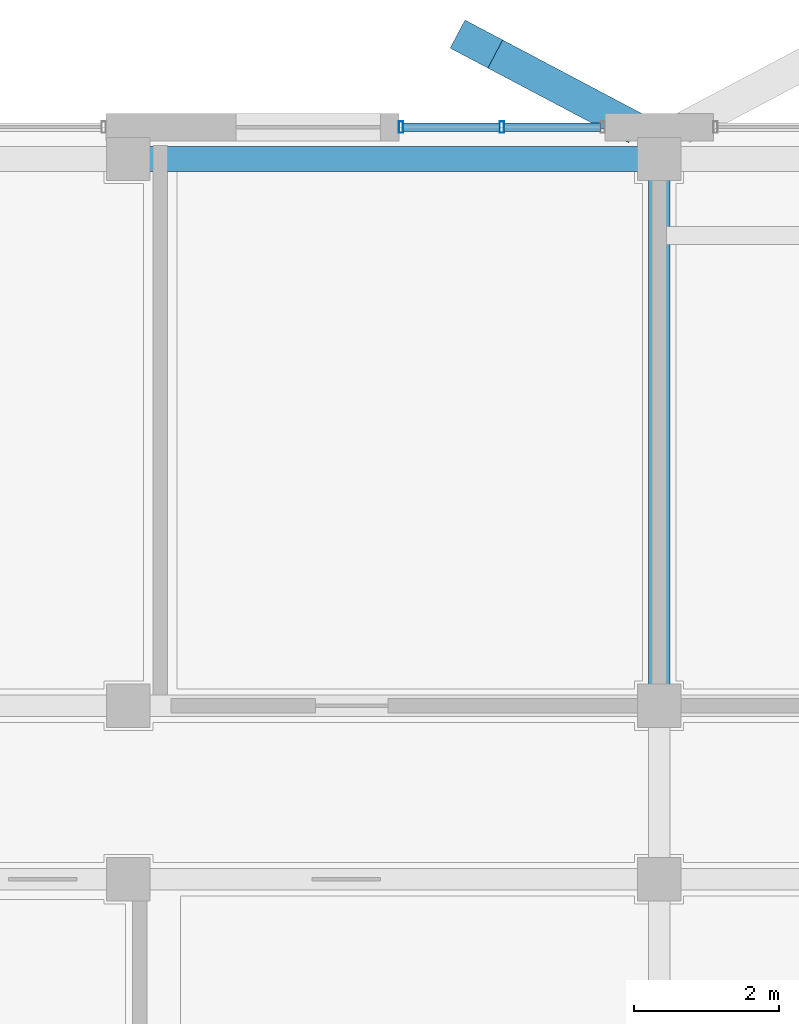
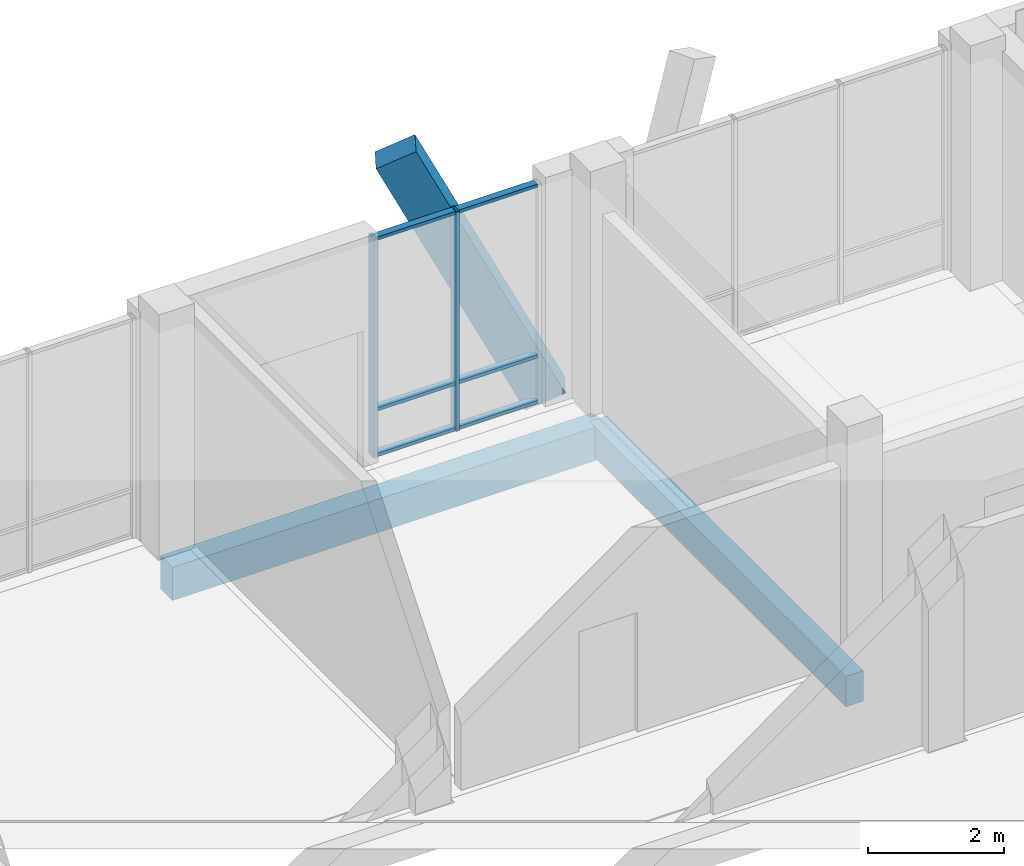
# One storey, part 118 of 233: 9 members, 2 beams, 1 element without a shape of its own.
"""IFC4 building model written with IfcOpenShell, lengths in metres."""

from ifc_helpers import new_model, si_unit, direction, frame, origin, origin_2d, place, context, subcontext, project, spatial, rectangle, hollow_rectangle, extrude, material, material_profile, profile_set, type_object, element, aggregate, save


model = new_model("IFC4")

# Units and contexts
model_context = context("Model", 3, precision=1e-05, world=origin(), true_north=direction((0.0, 1.0)))
body_context = subcontext(model_context, "Body", "Model", "MODEL_VIEW")
ifc_project = project(units=[si_unit("LENGTHUNIT", "METRE"), si_unit("AREAUNIT", "SQUARE_METRE"), si_unit("VOLUMEUNIT", "CUBIC_METRE"), si_unit("PLANEANGLEUNIT", "RADIAN"), si_unit("MASSUNIT", "GRAM", prefix="KILO")], contexts=[model_context])

# Site, building, storey
site_placement = place(None, origin())
site = spatial("IfcSite", under=ifc_project, at=site_placement, CompositionType="ELEMENT")
building_placement = place(site_placement, origin())
building = spatial("IfcBuilding", under=site, at=building_placement, Name="Zavelmont Quarter", CompositionType="ELEMENT")
storey_placement = place(building_placement, origin())
storey = spatial("IfcBuildingStorey", under=building, at=storey_placement, Name="L00", CompositionType="ELEMENT", Elevation=0.0)

# Beams
ifc_material_1 = material(Name="Concrete C35/45", Category="concrete")
ifc_material_profile_1 = material_profile(ifc_material_1, rectangle(XDim=0.35009765625, YDim=0.60009765625, at=origin_2d()), Name="RC350X600")
ifc_profile_set_1 = profile_set([ifc_material_profile_1], Name="Concrete C35/45")
beam_type_1 = type_object("IfcBeamType", Name="BM01", PredefinedType="SPANDREL", material=ifc_profile_set_1)
beam_1_placement = place(storey_placement, frame((40.9599609375, 115.56005859375, -0.6201171875), z_axis=(1.0, 0.0, 0.0), x_axis=(0.0, 1.0, 0.0)))
element("IfcBeam", 1, at=beam_1_placement, inside=storey, type_object=beam_type_1, Name="L00 beam BM01 7/S to 8/S", PredefinedType="SPANDREL", context=body_context, shape_type="SweptSolid", body=[
    extrude(rectangle(XDim=0.35009765625, YDim=0.60009765625, at=origin_2d()), origin(), (0.0, 0.0, 1.0), 7.340087890625),
])
ifc_material_profile_2 = material_profile(ifc_material_1, rectangle(XDim=0.300048828125, YDim=0.550048828125, at=origin_2d()), Name="RC300X550")
ifc_profile_set_2 = profile_set([ifc_material_profile_2], Name="Concrete C35/45")
beam_type_2 = type_object("IfcBeamType", Name="BM02", PredefinedType="SPANDREL", material=ifc_profile_set_2)
beam_2_placement = place(storey_placement, frame((48.300048828125, 108.0, -0.594970703125), z_axis=(0.0, 1.0, 0.0), x_axis=(-1.0, 0.0, 0.0)))
element("IfcBeam", 2, at=beam_2_placement, inside=storey, type_object=beam_type_2, Name="L00 beam BM02 8/R to 8/S", PredefinedType="SPANDREL", context=body_context, shape_type="SweptSolid", body=[
    extrude(rectangle(XDim=0.300048828125, YDim=0.550048828125, at=origin_2d()), origin(), (0.0, 0.0, 1.0), 7.56005859375),
])

# Curtain wall, members
ifc_material_2 = material(Name="Thermally broken aluminium and double low-E safety glazing", Category="aluminium")
curtain_wall_type = type_object("IfcCurtainWallType", Name="CW-285X395", PredefinedType="NOTDEFINED", material=ifc_material_2)
curtain_wall_placement = place(storey_placement, origin())
curtain_wall = element("IfcCurtainWall", 3, at=curtain_wall_placement, inside=storey, type_object=curtain_wall_type, Name="L00 unitised curtain wall CW-285X395", PredefinedType="NOTDEFINED")
ifc_material_3 = material(Name="Powder-coated aluminium EN AW-6063-T6", Category="aluminium")
ifc_material_profile_3 = material_profile(ifc_material_3, hollow_rectangle(XDim=0.06005859375, YDim=0.159912109375, WallThickness=0.00390625, at=origin_2d()), Name="CWM60X160")
ifc_profile_set_3 = profile_set([ifc_material_profile_3], Name="Powder-coated aluminium EN AW-6063-T6")
member_type_1 = type_object("IfcMemberType", Name="CWM01", PredefinedType="MULLION", material=ifc_profile_set_3)
member_1_placement = place(storey_placement, frame((44.72998046875, 116.0, 0.0), z_axis=(0.0, 0.0, 1.0), x_axis=(1.0, 0.0, 0.0)))
member_1 = element("IfcMember", 4, at=member_1_placement, type_object=member_type_1, Name="CW-285X395 mullion 1", PredefinedType="MULLION", context=body_context, shape_type="SweptSolid", body=[
    extrude(hollow_rectangle(XDim=0.06005859375, YDim=0.159912109375, WallThickness=0.00390625, at=origin_2d()), origin(), (0.0, 0.0, 1.0), 3.949951171875),
])
member_2_placement = place(storey_placement, frame((46.125, 116.0, 0.0), z_axis=(0.0, 0.0, 1.0), x_axis=(1.0, 0.0, 0.0)))
member_2 = element("IfcMember", 5, at=member_2_placement, type_object=member_type_1, Name="CW-285X395 mullion 2", PredefinedType="MULLION", context=body_context, shape_type="SweptSolid", body=[
    extrude(hollow_rectangle(XDim=0.06005859375, YDim=0.159912109375, WallThickness=0.00390625, at=origin_2d()), origin(), (0.0, 0.0, 1.0), 3.949951171875),
])
ifc_material_profile_4 = material_profile(ifc_material_3, hollow_rectangle(XDim=0.1201171875, YDim=0.06005859375, WallThickness=0.00390625, at=origin_2d()), Name="CWT60X120")
ifc_profile_set_4 = profile_set([ifc_material_profile_4], Name="Powder-coated aluminium EN AW-6063-T6")
member_type_2 = type_object("IfcMemberType", Name="CWT01", PredefinedType="NOTDEFINED", material=ifc_profile_set_4)
member_3_placement = place(storey_placement, frame((44.760009765625, 116.0, 0.030029296875), z_axis=(1.0, 0.0, 0.0), x_axis=(0.0, 1.0, 0.0)))
member_3 = element("IfcMember", 6, at=member_3_placement, type_object=member_type_2, Name="CW-285X395 transom 1.1", ObjectType="TRANSOM", PredefinedType="USERDEFINED", context=body_context, shape_type="SweptSolid", body=[
    extrude(hollow_rectangle(XDim=0.1201171875, YDim=0.06005859375, WallThickness=0.00390625, at=origin_2d()), origin(), (0.0, 0.0, 1.0), 1.3349609375),
])
member_4_placement = place(storey_placement, frame((44.760009765625, 116.0, 0.85009765625), z_axis=(1.0, 0.0, 0.0), x_axis=(0.0, 1.0, 0.0)))
member_4 = element("IfcMember", 7, at=member_4_placement, type_object=member_type_2, Name="CW-285X395 transom 1.2", ObjectType="TRANSOM", PredefinedType="USERDEFINED", context=body_context, shape_type="SweptSolid", body=[
    extrude(hollow_rectangle(XDim=0.1201171875, YDim=0.06005859375, WallThickness=0.00390625, at=origin_2d()), origin(), (0.0, 0.0, 1.0), 1.3349609375),
])
member_5_placement = place(storey_placement, frame((44.760009765625, 116.0, 3.919921875), z_axis=(1.0, 0.0, 0.0), x_axis=(0.0, 1.0, 0.0)))
member_5 = element("IfcMember", 8, at=member_5_placement, type_object=member_type_2, Name="CW-285X395 transom 1.3", ObjectType="TRANSOM", PredefinedType="USERDEFINED", context=body_context, shape_type="SweptSolid", body=[
    extrude(hollow_rectangle(XDim=0.1201171875, YDim=0.06005859375, WallThickness=0.00390625, at=origin_2d()), origin(), (0.0, 0.0, 1.0), 1.3349609375),
])
member_6_placement = place(storey_placement, frame((46.155029296875, 116.0, 0.030029296875), z_axis=(1.0, 0.0, 0.0), x_axis=(0.0, 1.0, 0.0)))
member_6 = element("IfcMember", 9, at=member_6_placement, type_object=member_type_2, Name="CW-285X395 transom 2.1", ObjectType="TRANSOM", PredefinedType="USERDEFINED", context=body_context, shape_type="SweptSolid", body=[
    extrude(hollow_rectangle(XDim=0.1201171875, YDim=0.06005859375, WallThickness=0.00390625, at=origin_2d()), origin(), (0.0, 0.0, 1.0), 1.3349609375),
])
member_7_placement = place(storey_placement, frame((46.155029296875, 116.0, 0.85009765625), z_axis=(1.0, 0.0, 0.0), x_axis=(0.0, 1.0, 0.0)))
member_7 = element("IfcMember", 10, at=member_7_placement, type_object=member_type_2, Name="CW-285X395 transom 2.2", ObjectType="TRANSOM", PredefinedType="USERDEFINED", context=body_context, shape_type="SweptSolid", body=[
    extrude(hollow_rectangle(XDim=0.1201171875, YDim=0.06005859375, WallThickness=0.00390625, at=origin_2d()), origin(), (0.0, 0.0, 1.0), 1.3349609375),
])
member_8_placement = place(storey_placement, frame((46.155029296875, 116.0, 3.919921875), z_axis=(1.0, 0.0, 0.0), x_axis=(0.0, 1.0, 0.0)))
member_8 = element("IfcMember", 11, at=member_8_placement, type_object=member_type_2, Name="CW-285X395 transom 2.3", ObjectType="TRANSOM", PredefinedType="USERDEFINED", context=body_context, shape_type="SweptSolid", body=[
    extrude(hollow_rectangle(XDim=0.1201171875, YDim=0.06005859375, WallThickness=0.00390625, at=origin_2d()), origin(), (0.0, 0.0, 1.0), 1.3349609375),
])
aggregate(curtain_wall, [member_1, member_2, member_3, member_4, member_5, member_6, member_7, member_8])

# Member
ifc_material_4 = material(Name="White architectural precast concrete C40/50", Category="concrete")
ifc_material_profile_5 = material_profile(ifc_material_4, rectangle(XDim=0.43994140625, YDim=0.659912109375, at=origin_2d()), Name="PCR320X480")
ifc_profile_set_5 = profile_set([ifc_material_profile_5], Name="White architectural precast concrete C40/50")
member_type_3 = type_object("IfcMemberType", Name="VR01M", PredefinedType="CHORD", material=ifc_profile_set_5)
member_9_placement = place(storey_placement, frame((47.719970703125, 116.1201171875, 0.0), z_axis=(-0.395660789646, 0.209292351483, 0.894231094934), x_axis=(-0.467582094984, -0.883949650404, 0.0)))
element("IfcMember", 12, at=member_9_placement, inside=storey, type_object=member_type_3, Name="L00 member VR01M 8/S to 8/S", PredefinedType="CHORD", context=body_context, shape_type="SweptSolid", body=[
    extrude(rectangle(XDim=0.43994140625, YDim=0.659912109375, at=origin_2d()), origin(), (0.0, 0.0, 1.0), 4.92041015625),
])

save(model, "model.ifc")
